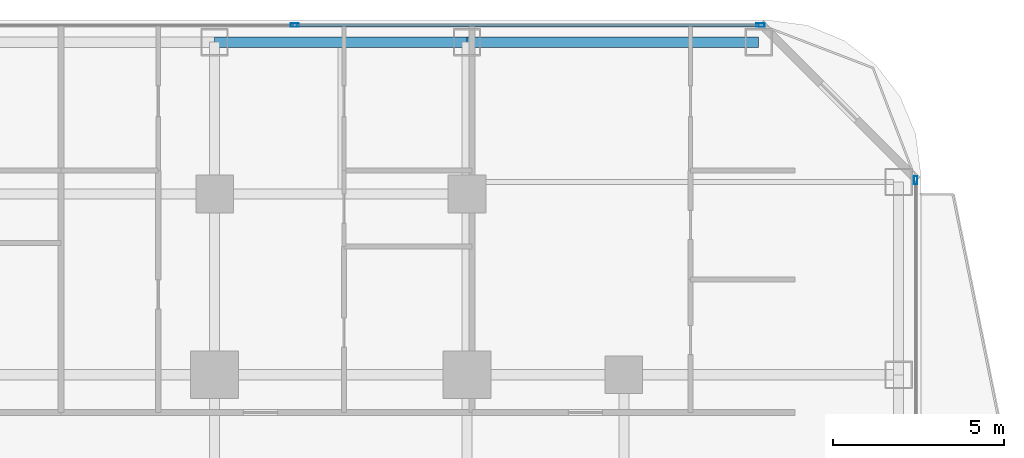
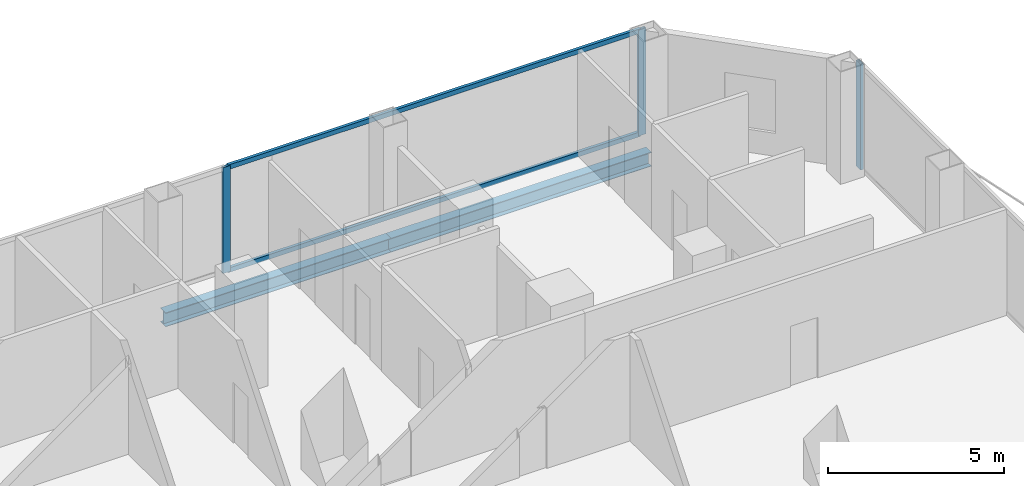
# One storey, part 18 of 27: 5 members, 2 beams, 2 elements without a shape of their own.
"""IFC4 building model written with IfcOpenShell, lengths in metres."""

import ifcopenshell
import ifcopenshell.guid

model = None  # the IFC model being written
_history = None  # IfcOwnerHistory: only IFC2X3 demands one
_inside = {}  # id of a spatial element -> (the spatial element, [elements in it])
_under = {}  # id of a project, library or spatial element -> (it, [spatial elements below it])
_declared = {}  # id of a project -> (the project, [libraries it declares])
_typed = {}  # id of a type object -> (the type object, [elements of that type])
_made_of = {}  # id of a material, layer set ... -> (it, [elements and type objects made of it])


def new_model(schema):
    """Start an empty IFC model of exactly this schema.

    Asked for "IFC4X3", IfcOpenShell would pick the latest addendum, in which some entities
    have other attributes; the version numbers below select the first issue.
    IFC2X3 requires an IfcOwnerHistory on every rooted entity: one is made here for all.
    """
    global model, _history
    if schema == "IFC4X3":
        model = ifcopenshell.file(schema_version=(4, 3, 0, 0))
    else:
        model = ifcopenshell.file(schema=schema)
    _inside.clear()
    _under.clear()
    _declared.clear()
    _typed.clear()
    _made_of.clear()
    _history = None
    if model.schema == "IFC2X3":
        org = make("IfcOrganization", Name="unknown")
        user = make(
            "IfcPersonAndOrganization",
            ThePerson=make("IfcPerson", FamilyName="unknown"),
            TheOrganization=org,
        )
        app = make(
            "IfcApplication",
            ApplicationDeveloper=org,
            Version="unknown",
            ApplicationFullName="unknown",
            ApplicationIdentifier="unknown",
        )
        _history = make(
            "IfcOwnerHistory",
            OwningUser=user,
            OwningApplication=app,
            ChangeAction="ADDED",
            CreationDate=0,
        )
    return model


def make(cls, **values):
    """One entity of the class cls with the attributes given. An attribute that is None is left unset."""
    return model.create_entity(
        cls, **{name: value for name, value in values.items() if value is not None}
    )


def rooted(cls, **values):
    """An entity with a GlobalId (a new one), such as an element, a storey or a relation."""
    return make(cls, GlobalId=ifcopenshell.guid.new(), OwnerHistory=_history, **values)


def si_unit(unit_type, name, prefix=None):
    """IfcSIUnit, for example si_unit("LENGTHUNIT", "METRE", prefix="MILLI")."""
    return make("IfcSIUnit", UnitType=unit_type, Prefix=prefix, Name=name)


def assignment(units):
    """IfcUnitAssignment: the units of a project."""
    return None if units is None else make("IfcUnitAssignment", Units=units)


def point(xyz):
    """IfcCartesianPoint."""
    return None if xyz is None else make("IfcCartesianPoint", Coordinates=xyz)


def direction(xyz):
    """IfcDirection."""
    return None if xyz is None else make("IfcDirection", DirectionRatios=xyz)


def frame(location, z_axis=None, x_axis=None):
    """IfcAxis2Placement3D, a coordinate frame: its origin and axes. An axis left out is left unset."""
    return make(
        "IfcAxis2Placement3D",
        Location=point(location),
        Axis=direction(z_axis),
        RefDirection=direction(x_axis),
    )


def frame_2d(location, x_axis=None):
    """IfcAxis2Placement2D, a coordinate frame in the plane: its origin and x axis."""
    return make(
        "IfcAxis2Placement2D", Location=point(location), RefDirection=direction(x_axis)
    )


def origin():
    """The frame at (0, 0, 0) with its axes left unset."""
    return frame((0.0, 0.0, 0.0))


def origin_2d():
    """The frame at (0, 0) in the plane with its x axis left unset."""
    return frame_2d((0.0, 0.0))


def place(relative_to, where):
    """IfcLocalPlacement: puts the frame where relative to a parent placement (None: the world)."""
    return make(
        "IfcLocalPlacement", PlacementRelTo=relative_to, RelativePlacement=where
    )


def context(
    kind, dimensions, precision=None, world=None, true_north=None, identifier=None
):
    """IfcGeometricRepresentationContext, for example the 3D "Model" context."""
    return make(
        "IfcGeometricRepresentationContext",
        ContextIdentifier=identifier,
        ContextType=kind,
        CoordinateSpaceDimension=dimensions,
        Precision=precision,
        WorldCoordinateSystem=world,
        TrueNorth=true_north,
    )


def subcontext(parent, identifier, kind, view, scale=None):
    """IfcGeometricRepresentationSubContext, for example "Body" below "Model"."""
    return make(
        "IfcGeometricRepresentationSubContext",
        ContextIdentifier=identifier,
        ContextType=kind,
        ParentContext=parent,
        TargetScale=scale,
        TargetView=view,
    )


def project(units=None, contexts=None):
    """IfcProject with its units and contexts."""
    return rooted(
        "IfcProject",
        Name="project",
        RepresentationContexts=contexts,
        UnitsInContext=assignment(units),
    )


def spatial(cls, under=None, at=None, **own):
    """A site, building, storey or space (cls), placed at a placement, below another one or the project."""
    s = rooted(cls, ObjectPlacement=at, **own)
    if under is not None:
        _under.setdefault(under.id(), (under, []))[1].append(s)
    return s


def profile(cls, at=None, kind="AREA", **sizes):
    """A parametric profile (cls). Its sizes go by their IFC names, for example OverallWidth=200.0."""
    return make(cls, ProfileType=kind, Position=at, **sizes)


def hollow_rectangle(**sizes):
    """IfcRectangleHollowProfileDef."""
    return profile("IfcRectangleHollowProfileDef", **sizes)


def i_section(**sizes):
    """IfcIShapeProfileDef."""
    return profile("IfcIShapeProfileDef", **sizes)


def extrude(swept, where, along, depth):
    """IfcExtrudedAreaSolid: the profile swept, set in the frame where, extruded along a direction by depth."""
    return make(
        "IfcExtrudedAreaSolid",
        SweptArea=swept,
        Position=where,
        ExtrudedDirection=direction(along),
        Depth=depth,
    )


def shape(context_of_items, identifier, shape_type, items):
    """IfcShapeRepresentation: the items that make up one representation, for example the "Body"."""
    return make(
        "IfcShapeRepresentation",
        ContextOfItems=context_of_items,
        RepresentationIdentifier=identifier,
        RepresentationType=shape_type,
        Items=items,
    )


def material(Name=None, Category=None):
    """IfcMaterial."""
    return make("IfcMaterial", Name=Name, Category=Category)


def layer(
    of_material, thickness, ventilated=None, Name=None, Category=None, Priority=None
):
    """IfcMaterialLayer: one layer of a wall or slab, of a material (None: an air gap)."""
    return make(
        "IfcMaterialLayer",
        Material=of_material,
        LayerThickness=thickness,
        IsVentilated=ventilated,
        Name=Name,
        Category=Category,
        Priority=Priority,
    )


def layer_set(layers, Name=None):
    """IfcMaterialLayerSet."""
    return make("IfcMaterialLayerSet", MaterialLayers=layers, LayerSetName=Name)


def material_profile(
    of_material, cross_section, Name=None, Category=None, Priority=None
):
    """IfcMaterialProfile: a cross section and its material."""
    return make(
        "IfcMaterialProfile",
        Name=Name,
        Material=of_material,
        Profile=cross_section,
        Priority=Priority,
        Category=Category,
    )


def profile_set(profiles, Name=None, composite=None):
    """IfcMaterialProfileSet."""
    return make(
        "IfcMaterialProfileSet",
        Name=Name,
        MaterialProfiles=profiles,
        CompositeProfile=composite,
    )


def made_of(thing, what):
    """Note that an element or type object is made of a material, layer set ...; save() writes the relation."""
    if what is not None:
        _made_of.setdefault(what.id(), (what, []))[1].append(thing)
    return thing


def type_object(cls, material=None, **own):
    """A type object (cls), such as IfcWallType, which elements share."""
    return made_of(rooted(cls, **own), material)


def element(
    cls,
    number,
    at=None,
    inside=None,
    cuts=None,
    type_object=None,
    material=None,
    context=None,
    identifier="Body",
    shape_type=None,
    held_by="IfcProductDefinitionShape",
    body=None,
    shapes=None,
    **own,
):
    """One element of the class cls, such as IfcWall. Its Tag is "e" and its number.

    at: its placement. inside: the storey or other place that contains it. cuts: it is an
    opening in that element (IfcRelVoidsElement). A single representation is given by context,
    identifier, shape_type and body (its items); several are given by shapes. held_by: the class
    of the entity that holds the representations. save() writes the other relations.
    """
    e = rooted(cls, Tag="e%d" % number, ObjectPlacement=at, **own)
    if body is not None:
        shapes = [shape(context, identifier, shape_type, body)]
    if shapes is not None:
        e.Representation = make(held_by, Representations=shapes)
    if inside is not None:
        _inside.setdefault(inside.id(), (inside, []))[1].append(e)
    if cuts is not None:
        rooted(
            "IfcRelVoidsElement", RelatingBuildingElement=cuts, RelatedOpeningElement=e
        )
    if type_object is not None:
        _typed.setdefault(type_object.id(), (type_object, []))[1].append(e)
    return made_of(e, material)


def aggregate(whole, parts):
    """IfcRelAggregates: a whole, such as a stair, and the parts it consists of."""
    return rooted("IfcRelAggregates", RelatingObject=whole, RelatedObjects=parts)


def save(model, path):
    """Write the relations noted so far, then the file.

    IfcRelAggregates (storeys below a building ...), IfcRelContainedInSpatialStructure (elements
    in a storey), IfcRelDefinesByType, IfcRelAssociatesMaterial and IfcRelDeclares: one each for
    every whole, place, type object, material and project.
    """
    for whole, parts in _under.values():
        aggregate(whole, parts)
    for where, things in _inside.values():
        rooted(
            "IfcRelContainedInSpatialStructure",
            RelatedElements=things,
            RelatingStructure=where,
        )
    for kind, things in _typed.values():
        rooted("IfcRelDefinesByType", RelatedObjects=things, RelatingType=kind)
    for what, things in _made_of.values():
        rooted("IfcRelAssociatesMaterial", RelatedObjects=things, RelatingMaterial=what)
    for by, libraries in _declared.values():
        rooted("IfcRelDeclares", RelatingContext=by, RelatedDefinitions=libraries)
    model.write(path)


model = new_model("IFC4")

# Units and contexts
model_context = context("Model", 3, precision=1e-05, world=origin(), true_north=direction((0.0, 1.0)))
body_context = subcontext(model_context, "Body", "Model", "MODEL_VIEW")
ifc_project = project(units=[si_unit("LENGTHUNIT", "METRE"), si_unit("AREAUNIT", "SQUARE_METRE"), si_unit("VOLUMEUNIT", "CUBIC_METRE"), si_unit("PLANEANGLEUNIT", "RADIAN"), si_unit("MASSUNIT", "GRAM", prefix="KILO")], contexts=[model_context])

# Site, building, storey
site_placement = place(None, origin())
site = spatial("IfcSite", under=ifc_project, at=site_placement, CompositionType="ELEMENT")
building_placement = place(site_placement, origin())
building = spatial("IfcBuilding", under=site, at=building_placement, Name="Khorvyn Point Tower", CompositionType="ELEMENT")
storey_placement = place(building_placement, frame((0.0, 0.0, 46.199951171875)))
storey = spatial("IfcBuildingStorey", under=building, at=storey_placement, Name="L12", CompositionType="ELEMENT", Elevation=46.199951171875)

# Curtain wall, members
ifc_material_1 = material(Name="Anodised aluminium 6063-T6 and laminated Low-E glass", Category="aluminium")
ifc_layer = layer(ifc_material_1, 0.18994140625)
ifc_layer_set = layer_set([ifc_layer], Name="Stick-Built Finned Residential Curtain Wall CW-SYS-02")
curtain_wall_type = type_object("IfcCurtainWallType", Name="Stick-Built Finned Residential Curtain Wall CW-SYS-02", PredefinedType="NOTDEFINED", material=ifc_layer_set)
curtain_wall_1_placement = place(storey_placement, origin())
curtain_wall_1 = element("IfcCurtainWall", 1, at=curtain_wall_1_placement, inside=storey, type_object=curtain_wall_type, Name="Curtain Wall", PredefinedType="NOTDEFINED")
ifc_material_2 = material(Name="Anodised aluminium 6063-T6", Category="aluminium")
ifc_material_profile_1 = material_profile(ifc_material_2, hollow_rectangle(XDim=0.10009765625, YDim=0.239990234375, WallThickness=0.0048828125, at=origin_2d()))
ifc_profile_set_1 = profile_set([ifc_material_profile_1], Name="Anodised aluminium 6063-T6 ALU-MUL-100x240")
member_type_1 = type_object("IfcMemberType", Name="Anodised Aluminium 6063-T6 Mullion ALU-MUL-100x240", PredefinedType="MULLION", material=ifc_profile_set_1)
member_1_placement = place(storey_placement, frame((9.75, 25.050048828125, 0.0), z_axis=(0.0, 0.0, 1.0), x_axis=(0.0, 1.0, 0.0)))
member_1 = element("IfcMember", 2, at=member_1_placement, type_object=member_type_1, Name="Transom", PredefinedType="MULLION", context=body_context, shape_type="SweptSolid", body=[
    extrude(hollow_rectangle(XDim=0.10009765625, YDim=0.239990234375, WallThickness=0.0048828125, at=origin_2d()), origin(), (0.0, 0.0, 1.0), 3.679931640625),
])
member_2_placement = place(storey_placement, frame((23.39990234375, 25.050048828125, 0.0), z_axis=(0.0, 0.0, 1.0), x_axis=(0.0, 1.0, 0.0)))
member_2 = element("IfcMember", 3, at=member_2_placement, type_object=member_type_1, Name="Transom", PredefinedType="MULLION", context=body_context, shape_type="SweptSolid", body=[
    extrude(hollow_rectangle(XDim=0.10009765625, YDim=0.239990234375, WallThickness=0.0048828125, at=origin_2d()), origin(), (0.0, 0.0, 1.0), 3.679931640625),
])

# Curtain wall, member
curtain_wall_2_placement = place(storey_placement, origin())
curtain_wall_2 = element("IfcCurtainWall", 4, at=curtain_wall_2_placement, inside=storey, type_object=curtain_wall_type, Name="Curtain Wall", PredefinedType="NOTDEFINED")
member_3_placement = place(storey_placement, frame((27.949951171875, 20.5, 0.0), z_axis=(0.0, 0.0, 1.0), x_axis=(1.0, 0.0, 0.0)))
member_3 = element("IfcMember", 5, at=member_3_placement, type_object=member_type_1, Name="Transom", PredefinedType="MULLION", context=body_context, shape_type="SweptSolid", body=[
    extrude(hollow_rectangle(XDim=0.10009765625, YDim=0.239990234375, WallThickness=0.0048828125, at=origin_2d()), origin(), (0.0, 0.0, 1.0), 3.679931640625),
])
aggregate(curtain_wall_2, [member_3])

# Member
ifc_material_profile_2 = material_profile(ifc_material_2, hollow_rectangle(XDim=0.10009765625, YDim=0.159912109375, WallThickness=0.00439453125, at=origin_2d()))
ifc_profile_set_2 = profile_set([ifc_material_profile_2], Name="Anodised aluminium 6063-T6 ALU-TRN-100x160")
member_type_2 = type_object("IfcMemberType", Name="Anodised Aluminium 6063-T6 Transom ALU-TRN-100x160", PredefinedType="USERDEFINED", material=ifc_profile_set_2)
member_4_placement = place(storey_placement, frame((9.800048828125, 25.050048828125, 0.050048828125), z_axis=(1.0, 0.0, 0.0), x_axis=(0.0, 1.0, 0.0)))
member_4 = element("IfcMember", 6, at=member_4_placement, type_object=member_type_2, Name="Transom", ObjectType="TRANSOM", PredefinedType="USERDEFINED", context=body_context, shape_type="SweptSolid", body=[
    extrude(hollow_rectangle(XDim=0.10009765625, YDim=0.159912109375, WallThickness=0.00439453125, at=origin_2d()), origin(), (0.0, 0.0, 1.0), 13.550048828125),
])

member_5_placement = place(storey_placement, frame((9.800048828125, 25.050048828125, 3.630126953125), z_axis=(1.0, 0.0, 0.0), x_axis=(0.0, 1.0, 0.0)))
member_5 = element("IfcMember", 7, at=member_5_placement, type_object=member_type_2, Name="Transom", ObjectType="TRANSOM", PredefinedType="USERDEFINED", context=body_context, shape_type="SweptSolid", body=[
    extrude(hollow_rectangle(XDim=0.10009765625, YDim=0.159912109375, WallThickness=0.00439453125, at=origin_2d()), origin(), (0.0, 0.0, 1.0), 13.550048828125),
])

aggregate(curtain_wall_1, [member_1, member_2, member_4, member_5])

# Beams
ifc_material_3 = material(Name="Steel S355", Category="steel")
ifc_material_profile_3 = material_profile(ifc_material_3, i_section(OverallWidth=0.300048828125, OverallDepth=0.488037109375, WebThickness=0.010986328125, FlangeThickness=0.01806640625, at=origin_2d()))
ifc_profile_set_3 = profile_set([ifc_material_profile_3], Name="Steel S355 H488x300x11x18")
beam_type = type_object("IfcBeamType", Name="Steel S355 Spandrel H488x300x11x18", PredefinedType="SPANDREL", material=ifc_profile_set_3)
beam_1_placement = place(storey_placement, frame((7.39990234375, 24.550048828125, -0.4638671875), z_axis=(1.0, 0.0, 0.0), x_axis=(0.0, 1.0, 0.0)))
element("IfcBeam", 8, at=beam_1_placement, inside=storey, type_object=beam_type, Name="Beam", PredefinedType="SPANDREL", context=body_context, shape_type="SweptSolid", body=[
    extrude(i_section(OverallWidth=0.300048828125, OverallDepth=0.488037109375, WebThickness=0.010986328125, FlangeThickness=0.01806640625, at=origin_2d()), origin(), (0.0, 0.0, 1.0), 7.400146484375),
])
beam_2_placement = place(storey_placement, frame((14.800048828125, 24.550048828125, -0.4638671875), z_axis=(1.0, 0.0, 0.0), x_axis=(0.0, 1.0, 0.0)))
element("IfcBeam", 9, at=beam_2_placement, inside=storey, type_object=beam_type, Name="Beam", PredefinedType="SPANDREL", context=body_context, shape_type="SweptSolid", body=[
    extrude(i_section(OverallWidth=0.300048828125, OverallDepth=0.488037109375, WebThickness=0.010986328125, FlangeThickness=0.01806640625, at=origin_2d()), origin(), (0.0, 0.0, 1.0), 8.550048828125),
])

save(model, "model.ifc")
